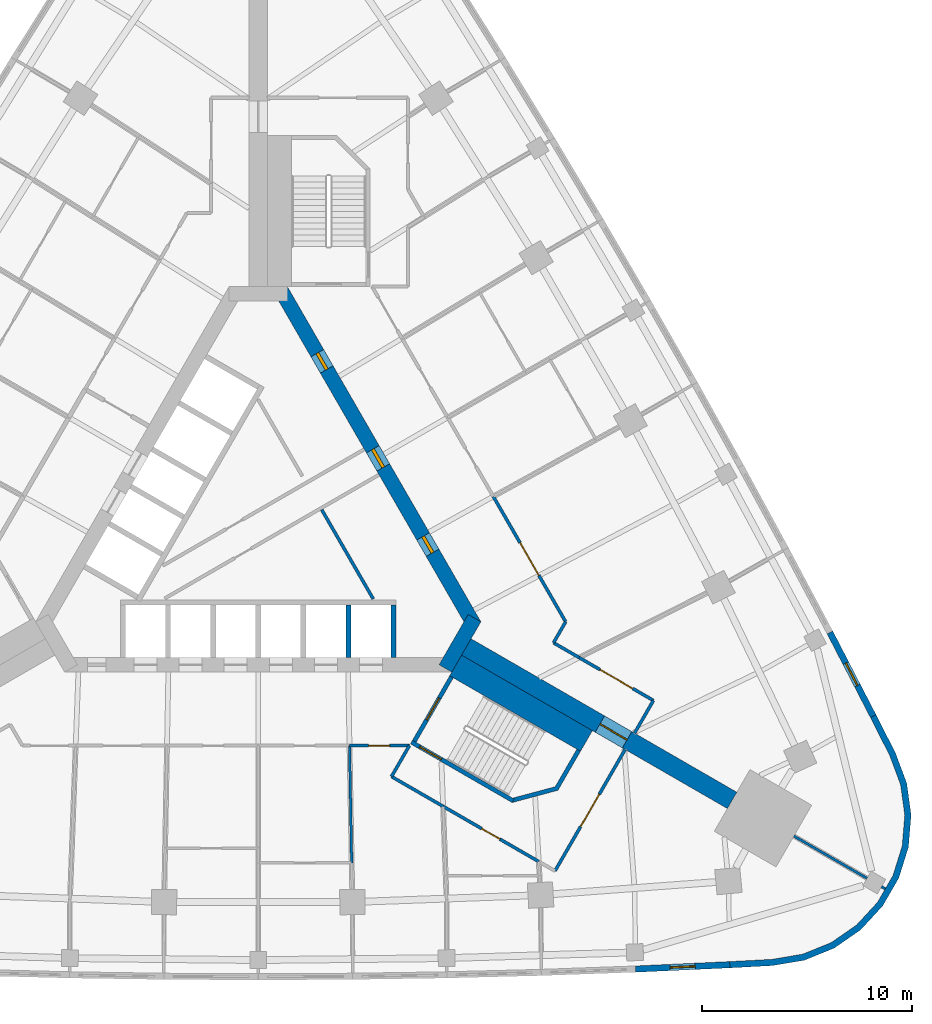
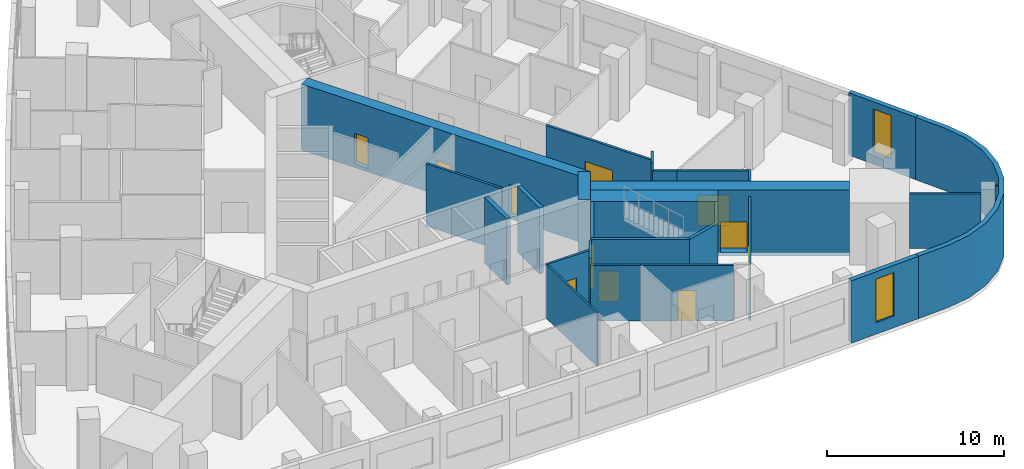
# One storey, part 7 of 11: 26 walls, 11 doors, 2 windows, 13 openings.
"""IFC4 building model written with IfcOpenShell, lengths in metres."""

from ifc_helpers import new_model, si_unit, direction, frame, frame_2d, origin, place, context, subcontext, project, spatial, polyline, rectangle, outline, extrude, material, layer, layer_set, type_object, element, fill, save


model = new_model("IFC4")

# Units and contexts
model_context = context("Model", 3, precision=1e-05, world=origin(), true_north=direction((0.0, 1.0)))
body_context = subcontext(model_context, "Body", "Model", "MODEL_VIEW")
ifc_project = project(units=[si_unit("LENGTHUNIT", "METRE"), si_unit("AREAUNIT", "SQUARE_METRE"), si_unit("VOLUMEUNIT", "CUBIC_METRE"), si_unit("PLANEANGLEUNIT", "RADIAN"), si_unit("MASSUNIT", "GRAM", prefix="KILO")], contexts=[model_context])

# Site, building, storey
site_placement = place(None, origin())
site = spatial("IfcSite", under=ifc_project, at=site_placement, CompositionType="ELEMENT")
building_placement = place(site_placement, origin())
building = spatial("IfcBuilding", under=site, at=building_placement, Name="Noor Cloister Tower", CompositionType="ELEMENT")
storey_placement = place(building_placement, frame((0.0, 0.0, 19.5)))
storey = spatial("IfcBuildingStorey", under=building, at=storey_placement, Name="L04", CompositionType="ELEMENT", Elevation=19.5)

# Wall, opening, door
ifc_material_1 = material(Name="Concrete C80/95", Category="concrete")
ifc_layer_1 = layer(ifc_material_1, 0.89990234375)
ifc_layer_set_1 = layer_set([ifc_layer_1], Name="Buttress wall 900 C80/95")
wall_type_1 = type_object("IfcWallType", Name="Buttress wall 900 C80/95", PredefinedType="SHEAR", material=ifc_layer_set_1)
wall_1_placement = place(storey_placement, frame((9.921630859375, -5.728271484375, -0.25), z_axis=(0.0, 0.0, 1.0), x_axis=(0.866028046028, -0.499995423472, 0.0)))
wall_1 = element("IfcWall", 1, at=wall_1_placement, inside=storey, type_object=wall_type_1, Name="Buttress wall SE L04", PredefinedType="SHEAR", context=body_context, shape_type="SweptSolid", body=[
    extrude(rectangle(XDim=14.632568359375, YDim=0.89990234375, at=frame_2d((7.31640625, 0.0))), origin(), (0.0, 0.0, 1.0), 4.550048828125),
])
opening_1_placement = place(wall_1_placement, frame((7.35009765625, 0.0, 0.25)))
opening_1 = element("IfcOpeningElement", 2, at=opening_1_placement, cuts=wall_1, Name="Opening L04-035", PredefinedType="OPENING", context=body_context, shape_type="SweptSolid", body=[
    extrude(rectangle(XDim=1.5, YDim=2.10009765625, at=frame_2d((0.75, 1.050048828125))), frame((0.0, 0.4599609375, 0.0), z_axis=(0.0, -1.0, 0.0), x_axis=(1.0, 0.0, 0.0)), (0.0, 0.0, 1.0), 0.919921875),
])
ifc_material_2 = material(Name="Steel fire door", Category="steel")
door_type_1 = type_object("IfcDoorType", Name="Smoke barrier door FD60 1500", OperationType="DOUBLE_DOOR_SINGLE_SWING", PredefinedType="DOOR", material=ifc_material_2)
door_1_placement = place(opening_1_placement, origin())
door_1 = element("IfcDoor", 3, at=door_1_placement, inside=storey, type_object=door_type_1, Name="Door L04-035", OperationType="DOUBLE_DOOR_SINGLE_SWING", OverallHeight=2.10009765625, OverallWidth=1.5, PredefinedType="DOOR", context=body_context, shape_type="SweptSolid", body=[
    extrude(rectangle(XDim=1.5, YDim=2.10009765625, at=frame_2d((0.75, 1.050048828125))), frame((0.0, 0.02490234375, 0.0), z_axis=(0.0, -1.0, 0.0), x_axis=(1.0, 0.0, 0.0)), (0.0, 0.0, 1.0), 0.050048828125),
])
fill(opening_1, door_1)

# Walls
ifc_material_3 = material(Name="Concrete C30/37", Category="concrete")
ifc_layer_2 = layer(ifc_material_3, 0.14990234375)
ifc_layer_set_2 = layer_set([ifc_layer_2], Name="Core partition 150 C30/37")
wall_type_2 = type_object("IfcWallType", Name="Core partition 150 C30/37", PredefinedType="PARTITIONING", material=ifc_layer_set_2)
wall_2_placement = place(storey_placement, frame((5.482421875, -3.439208984375, 0.0), z_axis=(0.0, 0.0, 1.0), x_axis=(-0.500006183238, 0.866021833861, 0.0)))
element("IfcWall", 4, at=wall_2_placement, inside=storey, type_object=wall_type_2, Name="Core room partition L04 4", PredefinedType="PARTITIONING", context=body_context, shape_type="SweptSolid", body=[
    extrude(rectangle(XDim=4.916015625, YDim=0.14990234375, at=frame_2d((2.4580078125, 0.0))), origin(), (0.0, 0.0, 1.0), 4.300048828125),
])
ifc_material_4 = material(Name="Concrete C80/95", Category="concrete")
ifc_layer_3 = layer(ifc_material_4, 0.699951171875)
ifc_layer_set_3 = layer_set([ifc_layer_3], Name="Core wall 700 C80/95")
wall_type_3 = type_object("IfcWallType", Name="Core wall 700 C80/95", PredefinedType="SHEAR", material=ifc_layer_set_3)
wall_3_placement = place(storey_placement, frame((8.925537109375, -6.753173828125, -0.25), z_axis=(0.0, 0.0, 1.0), x_axis=(0.500042739161, 0.866000726912, 0.0)))
element("IfcWall", 5, at=wall_3_placement, inside=storey, type_object=wall_type_3, Name="Core wall L04 2", PredefinedType="SHEAR", context=body_context, shape_type="SweptSolid", body=[
    extrude(rectangle(XDim=2.771240234375, YDim=0.699951171875, at=frame_2d((1.3857421875, 0.0))), origin(), (0.0, 0.0, 1.0), 4.550048828125),
])

# Wall, openings, doors
wall_4_placement = place(storey_placement, frame((10.311279296875, -4.703125, -0.25), z_axis=(0.0, 0.0, 1.0), x_axis=(-0.500001446645, 0.866024568562, 0.0)))
wall_4 = element("IfcWall", 6, at=wall_4_placement, inside=storey, type_object=wall_type_3, Name="Core wall L04 3", PredefinedType="SHEAR", context=body_context, shape_type="SweptSolid", body=[
    extrude(rectangle(XDim=18.45751953125, YDim=0.699951171875, at=frame_2d((9.228759765625, 0.0))), origin(), (0.0, 0.0, 1.0), 4.550048828125),
])
opening_2_placement = place(wall_4_placement, frame((8.699951171875, 0.0, 0.25)))
opening_2 = element("IfcOpeningElement", 7, at=opening_2_placement, cuts=wall_4, Name="Opening L04-901", PredefinedType="OPENING", context=body_context, shape_type="SweptSolid", body=[
    extrude(rectangle(XDim=1.0, YDim=2.10009765625, at=frame_2d((0.5, 1.050048828125))), frame((0.0, 0.35986328125, 0.0), z_axis=(0.0, -1.0, 0.0), x_axis=(1.0, 0.0, 0.0)), (0.0, 0.0, 1.0), 0.719970703125),
])
opening_3_placement = place(wall_4_placement, frame((4.001953125, 0.0, 0.25)))
opening_3 = element("IfcOpeningElement", 8, at=opening_3_placement, cuts=wall_4, Name="Opening L04-902", PredefinedType="OPENING", context=body_context, shape_type="SweptSolid", body=[
    extrude(rectangle(XDim=0.89990234375, YDim=2.10009765625, at=frame_2d((0.449951171875, 1.050048828125))), frame((0.0, 0.35986328125, 0.0), z_axis=(0.0, -1.0, 0.0), x_axis=(1.0, 0.0, 0.0)), (0.0, 0.0, 1.0), 0.719970703125),
])
opening_4_placement = place(wall_4_placement, frame((14.093017578125, 0.0, 0.25)))
opening_4 = element("IfcOpeningElement", 9, at=opening_4_placement, cuts=wall_4, Name="Opening L04-903", PredefinedType="OPENING", context=body_context, shape_type="SweptSolid", body=[
    extrude(rectangle(XDim=0.89990234375, YDim=2.10009765625, at=frame_2d((0.449951171875, 1.050048828125))), frame((0.0, 0.35986328125, 0.0), z_axis=(0.0, -1.0, 0.0), x_axis=(1.0, 0.0, 0.0)), (0.0, 0.0, 1.0), 0.719970703125),
])
ifc_material_5 = material(Name="Steel", Category="steel")
door_type_2 = type_object("IfcDoorType", Name="Core door 1000 x 2100 FD120", OperationType="SINGLE_SWING_LEFT", PredefinedType="DOOR", material=ifc_material_5)
door_2_placement = place(opening_2_placement, origin())
door_2 = element("IfcDoor", 10, at=door_2_placement, inside=storey, type_object=door_type_2, Name="Core door 1 L04", OperationType="SINGLE_SWING_LEFT", OverallHeight=2.10009765625, OverallWidth=1.0, PredefinedType="DOOR", context=body_context, shape_type="SweptSolid", body=[
    extrude(rectangle(XDim=1.0, YDim=2.10009765625, at=frame_2d((0.5, 1.050048828125))), frame((0.0, 0.074951171875, 0.0), z_axis=(0.0, -1.0, 0.0), x_axis=(1.0, 0.0, 0.0)), (0.0, 0.0, 1.0), 0.14990234375),
])
fill(opening_2, door_2)
ifc_material_6 = material(Name="Steel", Category="steel")
door_type_3 = type_object("IfcDoorType", Name="Core door 900 x 2100 FD120", OperationType="SINGLE_SWING_LEFT", PredefinedType="DOOR", material=ifc_material_6)
door_3_placement = place(opening_3_placement, origin())
door_3 = element("IfcDoor", 11, at=door_3_placement, inside=storey, type_object=door_type_3, Name="Core door 2 L04", OperationType="SINGLE_SWING_RIGHT", OverallHeight=2.10009765625, OverallWidth=0.89990234375, PredefinedType="DOOR", context=body_context, shape_type="SweptSolid", body=[
    extrude(rectangle(XDim=0.89990234375, YDim=2.10009765625, at=frame_2d((0.449951171875, 1.050048828125))), frame((0.0, 0.074951171875, 0.0), z_axis=(0.0, -1.0, 0.0), x_axis=(1.0, 0.0, 0.0)), (0.0, 0.0, 1.0), 0.14990234375),
])
fill(opening_3, door_3)
door_4_placement = place(opening_4_placement, origin())
door_4 = element("IfcDoor", 12, at=door_4_placement, inside=storey, type_object=door_type_3, Name="Core door 3 L04", OperationType="SINGLE_SWING_LEFT", OverallHeight=2.10009765625, OverallWidth=0.89990234375, PredefinedType="DOOR", context=body_context, shape_type="SweptSolid", body=[
    extrude(rectangle(XDim=0.89990234375, YDim=2.10009765625, at=frame_2d((0.449951171875, 1.050048828125))), frame((0.0, 0.074951171875, 0.0), z_axis=(0.0, -1.0, 0.0), x_axis=(1.0, 0.0, 0.0)), (0.0, 0.0, 1.0), 0.14990234375),
])
fill(opening_4, door_4)

# Wall, opening, door
ifc_material_7 = material(Name="Plasterboard on steel studs", Category="steel")
ifc_layer_4 = layer(ifc_material_7, 0.14990234375)
ifc_layer_set_4 = layer_set([ifc_layer_4], Name="Corridor wall 150")
wall_type_4 = type_object("IfcWallType", Name="Corridor wall 150", PredefinedType="PARTITIONING", material=ifc_layer_set_4)
wall_5_placement = place(storey_placement, frame((17.490966796875, -10.617919921875, 0.0), z_axis=(0.0, 0.0, 1.0), x_axis=(-0.499969057507, -0.866043267704, 0.0)))
wall_5 = element("IfcWall", 13, at=wall_5_placement, inside=storey, type_object=wall_type_4, Name="Partition", PredefinedType="PARTITIONING", context=body_context, shape_type="SweptSolid", body=[
    extrude(rectangle(XDim=6.6845703125, YDim=0.14990234375, at=frame_2d((3.34228515625, 0.0))), origin(), (0.0, 0.0, 1.0), 3.843017578125),
])
opening_5_placement = place(wall_5_placement, frame((2.449951171875, 0.0, 0.0)))
opening_5 = element("IfcOpeningElement", 14, at=opening_5_placement, cuts=wall_5, Name="Opening L04-005", PredefinedType="OPENING", context=body_context, shape_type="SweptSolid", body=[
    extrude(rectangle(XDim=1.800048828125, YDim=2.10009765625, at=frame_2d((0.89990234375, 1.050048828125))), frame((0.0, 0.0849609375, 0.0), z_axis=(0.0, -1.0, 0.0), x_axis=(1.0, 0.0, 0.0)), (0.0, 0.0, 1.0), 0.169921875),
])
ifc_material_8 = material(Name="Timber door leaf", Category="wood")
door_type_4 = type_object("IfcDoorType", Name="Double leaf door 1800", OperationType="DOUBLE_DOOR_SINGLE_SWING", PredefinedType="DOOR", material=ifc_material_8)
door_5_placement = place(opening_5_placement, origin())
door_5 = element("IfcDoor", 15, at=door_5_placement, inside=storey, type_object=door_type_4, Name="Door L04-005", OperationType="DOUBLE_DOOR_SINGLE_SWING", OverallHeight=2.10009765625, OverallWidth=1.800048828125, PredefinedType="DOOR", context=body_context, shape_type="SweptSolid", body=[
    extrude(rectangle(XDim=1.800048828125, YDim=2.10009765625, at=frame_2d((0.89990234375, 1.050048828125))), frame((0.0, 0.02490234375, 0.0), z_axis=(0.0, -1.0, 0.0), x_axis=(1.0, 0.0, 0.0)), (0.0, 0.0, 1.0), 0.050048828125),
])
fill(opening_5, door_5)

# Walls
wall_6_placement = place(storey_placement, frame((8.81689453125, -13.330078125, 0.0), z_axis=(0.0, 0.0, 1.0), x_axis=(-0.865999736111, 0.50004445508, 0.0)))
element("IfcWall", 16, at=wall_6_placement, inside=storey, type_object=wall_type_4, Name="Partition", PredefinedType="PARTITIONING", context=body_context, shape_type="SweptSolid", body=[
    extrude(rectangle(XDim=2.843994140625, YDim=0.14990234375, at=frame_2d((1.421875, 0.0))), origin(), (0.0, 0.0, 1.0), 3.843017578125),
])
wall_7_placement = place(storey_placement, frame((6.35400390625, -11.906005859375, 0.0), z_axis=(0.0, 0.0, 1.0), x_axis=(0.500539815233, 0.865713516913, 0.0)))
element("IfcWall", 17, at=wall_7_placement, inside=storey, type_object=wall_type_4, Name="Partition", PredefinedType="PARTITIONING", context=body_context, shape_type="SweptSolid", body=[
    extrude(rectangle(XDim=1.7060546875, YDim=0.14990234375, at=frame_2d((0.85302734375, 0.0))), origin(), (0.0, 0.0, 1.0), 4.300048828125),
])

# Wall, opening, door
wall_8_placement = place(storey_placement, frame((7.2080078125, -10.427978515625, 0.0), z_axis=(0.0, 0.0, 1.0), x_axis=(-1.0, 0.0, 0.0)))
wall_8 = element("IfcWall", 18, at=wall_8_placement, inside=storey, type_object=wall_type_4, Name="Partition", PredefinedType="PARTITIONING", context=body_context, shape_type="SweptSolid", body=[
    extrude(rectangle(XDim=2.861083984375, YDim=0.14990234375, at=frame_2d((1.4306640625, 0.0))), origin(), (0.0, 0.0, 1.0), 3.697998046875),
])
opening_6_placement = place(wall_8_placement, frame((0.949951171875, 0.0, 0.0)))
opening_6 = element("IfcOpeningElement", 19, at=opening_6_placement, cuts=wall_8, Name="Opening L04-006", PredefinedType="OPENING", context=body_context, shape_type="SweptSolid", body=[
    extrude(rectangle(XDim=1.0, YDim=2.10009765625, at=frame_2d((0.5, 1.050048828125))), frame((0.0, 0.0849609375, 0.0), z_axis=(0.0, -1.0, 0.0), x_axis=(1.0, 0.0, 0.0)), (0.0, 0.0, 1.0), 0.169921875),
])
ifc_material_9 = material(Name="Timber door leaf", Category="wood")
door_type_5 = type_object("IfcDoorType", Name="WC block door 1000", OperationType="SINGLE_SWING_LEFT", PredefinedType="DOOR", material=ifc_material_9)
door_6_placement = place(opening_6_placement, origin())
door_6 = element("IfcDoor", 20, at=door_6_placement, inside=storey, type_object=door_type_5, Name="Door L04-006", OperationType="SINGLE_SWING_RIGHT", OverallHeight=2.10009765625, OverallWidth=1.0, PredefinedType="DOOR", context=body_context, shape_type="SweptSolid", body=[
    extrude(rectangle(XDim=1.0, YDim=2.10009765625, at=frame_2d((0.5, 1.050048828125))), frame((0.0, 0.02490234375, 0.0), z_axis=(0.0, -1.0, 0.0), x_axis=(1.0, 0.0, 0.0)), (0.0, 0.0, 1.0), 0.050048828125),
])
fill(opening_6, door_6)

wall_9_placement = place(storey_placement, frame((13.376953125, -15.962890625, 0.0), z_axis=(0.0, 0.0, 1.0), x_axis=(-0.865969754012, 0.500096375847, 0.0)))
wall_9 = element("IfcWall", 21, at=wall_9_placement, inside=storey, type_object=wall_type_4, Name="Partition", PredefinedType="PARTITIONING", context=body_context, shape_type="SweptSolid", body=[
    extrude(rectangle(XDim=5.27490234375, YDim=0.14990234375, at=frame_2d((2.637451171875, 0.0))), origin(), (0.0, 0.0, 1.0), 3.843017578125),
])
opening_7_placement = place(wall_9_placement, frame((2.14990234375, 0.0, 0.0)))
opening_7 = element("IfcOpeningElement", 22, at=opening_7_placement, cuts=wall_9, Name="Opening L04-007", PredefinedType="OPENING", context=body_context, shape_type="SweptSolid", body=[
    extrude(rectangle(XDim=1.0, YDim=2.10009765625, at=frame_2d((0.5, 1.050048828125))), frame((0.0, 0.0849609375, 0.0), z_axis=(0.0, -1.0, 0.0), x_axis=(1.0, 0.0, 0.0)), (0.0, 0.0, 1.0), 0.169921875),
])
ifc_material_10 = material(Name="Timber door leaf", Category="wood")
door_type_6 = type_object("IfcDoorType", Name="Clinic room door 1000", OperationType="SINGLE_SWING_LEFT", PredefinedType="DOOR", material=ifc_material_10)
door_7_placement = place(opening_7_placement, origin())
door_7 = element("IfcDoor", 23, at=door_7_placement, inside=storey, type_object=door_type_6, Name="Door L04-007", OperationType="SINGLE_SWING_RIGHT", OverallHeight=2.10009765625, OverallWidth=1.0, PredefinedType="DOOR", context=body_context, shape_type="SweptSolid", body=[
    extrude(rectangle(XDim=1.0, YDim=2.10009765625, at=frame_2d((0.5, 1.050048828125))), frame((0.0, 0.02490234375, 0.0), z_axis=(0.0, -1.0, 0.0), x_axis=(1.0, 0.0, 0.0)), (0.0, 0.0, 1.0), 0.050048828125),
])
fill(opening_7, door_7)

wall_10_placement = place(storey_placement, frame((15.2958984375, -6.23291015625, 0.0), z_axis=(0.0, 0.0, 1.0), x_axis=(0.866035577775, -0.499982377718, 0.0)))
wall_10 = element("IfcWall", 24, at=wall_10_placement, inside=storey, type_object=wall_type_4, Name="Partition", PredefinedType="PARTITIONING", context=body_context, shape_type="SweptSolid", body=[
    extrude(rectangle(XDim=4.092529296875, YDim=0.14990234375, at=frame_2d((2.04638671875, 0.0))), origin(), (0.0, 0.0, 1.0), 3.76708984375),
])
opening_8_placement = place(wall_10_placement, frame((1.14990234375, 0.0, 0.0)))
opening_8 = element("IfcOpeningElement", 25, at=opening_8_placement, cuts=wall_10, Name="Opening L04-013", PredefinedType="OPENING", context=body_context, shape_type="SweptSolid", body=[
    extrude(rectangle(XDim=1.800048828125, YDim=2.10009765625, at=frame_2d((0.89990234375, 1.050048828125))), frame((0.0, 0.0849609375, 0.0), z_axis=(0.0, -1.0, 0.0), x_axis=(1.0, 0.0, 0.0)), (0.0, 0.0, 1.0), 0.169921875),
])
door_8_placement = place(opening_8_placement, origin())
door_8 = element("IfcDoor", 26, at=door_8_placement, inside=storey, type_object=door_type_4, Name="Door L04-013", OperationType="DOUBLE_DOOR_SINGLE_SWING", OverallHeight=2.10009765625, OverallWidth=1.800048828125, PredefinedType="DOOR", context=body_context, shape_type="SweptSolid", body=[
    extrude(rectangle(XDim=1.800048828125, YDim=2.10009765625, at=frame_2d((0.89990234375, 1.050048828125))), frame((0.0, 0.02490234375, 0.0), z_axis=(0.0, -1.0, 0.0), x_axis=(1.0, 0.0, 0.0)), (0.0, 0.0, 1.0), 0.050048828125),
])
fill(opening_8, door_8)

# Wall
wall_11_placement = place(storey_placement, frame((18.840087890625, -8.281005859375, 0.0), z_axis=(0.0, 0.0, 1.0), x_axis=(-0.500126010714, -0.86595263924, 0.0)))
element("IfcWall", 27, at=wall_11_placement, inside=storey, type_object=wall_type_4, Name="Partition", PredefinedType="PARTITIONING", context=body_context, shape_type="SweptSolid", body=[
    extrude(rectangle(XDim=1.7978515625, YDim=0.14990234375, at=frame_2d((0.89892578125, 0.0))), origin(), (0.0, 0.0, 1.0), 3.843017578125),
])

# Wall, opening, door
wall_12_placement = place(storey_placement, frame((11.205078125, 1.449951171875, 0.0), z_axis=(0.0, 0.0, 1.0), x_axis=(0.500008243208, -0.866020644514, 0.0)))
wall_12 = element("IfcWall", 28, at=wall_12_placement, inside=storey, type_object=wall_type_4, Name="Partition", PredefinedType="PARTITIONING", context=body_context, shape_type="SweptSolid", body=[
    extrude(rectangle(XDim=6.90185546875, YDim=0.14990234375, at=frame_2d((3.450927734375, 0.0))), origin(), (0.0, 0.0, 1.0), 3.697998046875),
])
opening_9_placement = place(wall_12_placement, frame((2.550048828125, 0.0, 0.0)))
opening_9 = element("IfcOpeningElement", 29, at=opening_9_placement, cuts=wall_12, Name="Opening L04-014", PredefinedType="OPENING", context=body_context, shape_type="SweptSolid", body=[
    extrude(rectangle(XDim=1.800048828125, YDim=2.10009765625, at=frame_2d((0.89990234375, 1.050048828125))), frame((0.0, 0.0849609375, 0.0), z_axis=(0.0, -1.0, 0.0), x_axis=(1.0, 0.0, 0.0)), (0.0, 0.0, 1.0), 0.169921875),
])
door_9_placement = place(opening_9_placement, origin())
door_9 = element("IfcDoor", 30, at=door_9_placement, inside=storey, type_object=door_type_4, Name="Door L04-014", OperationType="DOUBLE_DOOR_SINGLE_SWING", OverallHeight=2.10009765625, OverallWidth=1.800048828125, PredefinedType="DOOR", context=body_context, shape_type="SweptSolid", body=[
    extrude(rectangle(XDim=1.800048828125, YDim=2.10009765625, at=frame_2d((0.89990234375, 1.050048828125))), frame((0.0, 0.02490234375, 0.0), z_axis=(0.0, -1.0, 0.0), x_axis=(1.0, 0.0, 0.0)), (0.0, 0.0, 1.0), 0.050048828125),
])
fill(opening_9, door_9)

# Walls
wall_13_placement = place(storey_placement, frame((14.656005859375, -4.529052734375, 0.0), z_axis=(0.0, 0.0, 1.0), x_axis=(-0.500502949238, -0.865734831114, 0.0)))
element("IfcWall", 31, at=wall_13_placement, inside=storey, type_object=wall_type_4, Name="Partition", PredefinedType="PARTITIONING", context=body_context, shape_type="SweptSolid", body=[
    extrude(rectangle(XDim=1.155029296875, YDim=0.14990234375, at=frame_2d((0.57763671875, 0.0))), origin(), (0.0, 0.0, 1.0), 4.300048828125),
])
wall_14_placement = place(storey_placement, frame((14.077880859375, -5.529052734375, 0.0), z_axis=(0.0, 0.0, 1.0), x_axis=(0.866110865696, -0.499851946404, 0.0)))
element("IfcWall", 32, at=wall_14_placement, inside=storey, type_object=wall_type_4, Name="Partition", PredefinedType="PARTITIONING", context=body_context, shape_type="SweptSolid", body=[
    extrude(rectangle(XDim=1.41455078125, YDim=0.14990234375, at=frame_2d((0.707275390625, 0.0))), origin(), (0.0, 0.0, 1.0), 3.76708984375),
])
ifc_material_11 = material(Name="Limestone", Category="masonry")
ifc_layer_5 = layer(ifc_material_11, 0.300048828125)
ifc_layer_set_5 = layer_set([ifc_layer_5], Name="Limestone cladding 300")
wall_type_5 = type_object("IfcWallType", Name="Limestone cladding 300", PredefinedType="NOTDEFINED", material=ifc_layer_set_5)
wall_15_placement = place(storey_placement, origin())
element("IfcWall", 33, at=wall_15_placement, inside=storey, type_object=wall_type_5, Name="Limestone pier cladding L04 2.1", PredefinedType="NOTDEFINED", context=body_context, shape_type="SweptSolid", body=[
    extrude(outline(polyline([(22.490234375, -21.02978515625), (24.52197265625, -20.920654296875), (26.03955078125, -20.666259765625), (27.46484375, -20.086181640625), (28.72900390625, -19.208984375), (29.77099609375, -18.07666015625), (30.540283203125, -16.744140625), (31.0, -15.275634765625), (31.127685546875, -13.7421875), (30.917236328125, -12.2177734375), (30.378662109375, -10.7763671875), (29.457275390625, -8.962158203125), (29.18994140625, -9.097900390625), (30.103515625, -10.89697265625), (30.62451171875, -12.291748046875), (30.825927734375, -13.750244140625), (30.70361328125, -15.217529296875), (30.263916015625, -16.622802734375), (29.52783203125, -17.89794921875), (28.53076171875, -18.9814453125), (27.321044921875, -19.82080078125), (25.95703125, -20.375732421875), (24.489013671875, -20.621826171875), (22.47412109375, -20.730224609375), (22.490234375, -21.02978515625)])), origin(), (0.0, 0.0, 1.0), 4.300048828125),
])

# Wall, opening, window
ifc_material_12 = material(Name="Limestone", Category="masonry")
ifc_layer_6 = layer(ifc_material_12, 0.300048828125)
ifc_layer_set_6 = layer_set([ifc_layer_6], Name="Limestone panel wall 300")
wall_type_6 = type_object("IfcWallType", Name="Limestone panel wall 300", PredefinedType="NOTDEFINED", material=ifc_layer_set_6)
wall_16_placement = place(storey_placement, frame((22.481201171875, -20.8798828125, 0.0), z_axis=(0.0, 0.0, 1.0), x_axis=(-0.998931717866, -0.046210637742, 0.0)))
wall_16 = element("IfcWall", 34, at=wall_16_placement, inside=storey, type_object=wall_type_6, Name="Limestone wall L04 S 10", PredefinedType="NOTDEFINED", context=body_context, shape_type="SweptSolid", body=[
    extrude(rectangle(XDim=4.49609375, YDim=0.300048828125, at=frame_2d((2.248046875, 0.0))), origin(), (0.0, 0.0, 1.0), 4.300048828125),
])
opening_10_placement = place(wall_16_placement, frame((1.64794921875, 0.0, 0.800048828125)))
opening_10 = element("IfcOpeningElement", 35, at=opening_10_placement, cuts=wall_16, Name="Opening L04-W20", PredefinedType="OPENING", context=body_context, shape_type="SweptSolid", body=[
    extrude(rectangle(XDim=1.199951171875, YDim=3.0, at=frame_2d((0.60009765625, 1.5))), frame((0.0, 0.16015625, 0.0), z_axis=(0.0, -1.0, 0.0), x_axis=(1.0, 0.0, 0.0)), (0.0, 0.0, 1.0), 0.320068359375),
])
ifc_material_13 = material(Name="Aluminium 6063-T6 anodised", Category="aluminium")
window_type = type_object("IfcWindowType", Name="Lancet window 1200 x 3000", PartitioningType="SINGLE_PANEL", PredefinedType="WINDOW", material=ifc_material_13)
window_1_placement = place(opening_10_placement, origin())
window_1 = element("IfcWindow", 36, at=window_1_placement, inside=storey, type_object=window_type, Name="Window L04 20", OverallHeight=3.0, OverallWidth=1.199951171875, PartitioningType="SINGLE_PANEL", PredefinedType="WINDOW", context=body_context, shape_type="SweptSolid", body=[
    extrude(rectangle(XDim=1.199951171875, YDim=3.0, at=frame_2d((0.60009765625, 1.5))), frame((0.0, 0.030029296875, 0.0), z_axis=(0.0, -1.0, 0.0), x_axis=(1.0, 0.0, 0.0)), (0.0, 0.0, 1.0), 0.06005859375),
])
fill(opening_10, window_1)

wall_17_placement = place(storey_placement, frame((27.257568359375, -5.035888671875, 0.0), z_axis=(0.0, 0.0, 1.0), x_axis=(0.459443600121, -0.888206945654, 0.0)))
wall_17 = element("IfcWall", 37, at=wall_17_placement, inside=storey, type_object=wall_type_6, Name="Limestone wall L04 NE 1", PredefinedType="NOTDEFINED", context=body_context, shape_type="SweptSolid", body=[
    extrude(rectangle(XDim=4.49609375, YDim=0.300048828125, at=frame_2d((2.248046875, 0.0))), origin(), (0.0, 0.0, 1.0), 4.300048828125),
])
opening_11_placement = place(wall_17_placement, frame((1.64794921875, 0.0, 0.800048828125)))
opening_11 = element("IfcOpeningElement", 38, at=opening_11_placement, cuts=wall_17, Name="Opening L04-W21", PredefinedType="OPENING", context=body_context, shape_type="SweptSolid", body=[
    extrude(rectangle(XDim=1.199951171875, YDim=3.0, at=frame_2d((0.60009765625, 1.5))), frame((0.0, 0.16015625, 0.0), z_axis=(0.0, -1.0, 0.0), x_axis=(1.0, 0.0, 0.0)), (0.0, 0.0, 1.0), 0.320068359375),
])
window_2_placement = place(opening_11_placement, origin())
window_2 = element("IfcWindow", 39, at=window_2_placement, inside=storey, type_object=window_type, Name="Window L04 21", OverallHeight=3.0, OverallWidth=1.199951171875, PartitioningType="SINGLE_PANEL", PredefinedType="WINDOW", context=body_context, shape_type="SweptSolid", body=[
    extrude(rectangle(XDim=1.199951171875, YDim=3.0, at=frame_2d((0.60009765625, 1.5))), frame((0.0, 0.030029296875, 0.0), z_axis=(0.0, -1.0, 0.0), x_axis=(1.0, 0.0, 0.0)), (0.0, 0.0, 1.0), 0.06005859375),
])
fill(opening_11, window_2)

# Walls
ifc_material_14 = material(Name="Plasterboard on steel studs", Category="steel")
ifc_layer_7 = layer(ifc_material_14, 0.1201171875)
ifc_layer_set_7 = layer_set([ifc_layer_7], Name="Partition wall 120")
wall_type_7 = type_object("IfcWallType", Name="Partition wall 120", PredefinedType="PARTITIONING", material=ifc_layer_set_7)
wall_18_placement = place(storey_placement, frame((29.02294921875, -16.757080078125, 0.0), z_axis=(0.0, 0.0, 1.0), x_axis=(-0.866027971625, 0.499995552344, 0.0)))
element("IfcWall", 40, at=wall_18_placement, inside=storey, type_object=wall_type_7, Name="Partition", PredefinedType="PARTITIONING", context=body_context, shape_type="SweptSolid", body=[
    extrude(rectangle(XDim=4.02392578125, YDim=0.1201171875, at=frame_2d((2.011962890625, 0.0))), origin(), (0.0, 0.0, 1.0), 3.76708984375),
])
wall_19_placement = place(storey_placement, frame((29.89599609375, -17.260986328125, 0.0), z_axis=(0.0, 0.0, 1.0), x_axis=(-0.865774595023, 0.500434162116, 0.0)))
element("IfcWall", 41, at=wall_19_placement, inside=storey, type_object=wall_type_7, Name="Partition", PredefinedType="PARTITIONING", context=body_context, shape_type="SweptSolid", body=[
    extrude(rectangle(XDim=0.207763671875, YDim=0.1201171875, at=frame_2d((0.10400390625, 0.0))), origin(), (0.0, 0.0, 1.0), 4.300048828125),
])
wall_20_placement = place(storey_placement, frame((4.35107421875, -10.428955078125, 0.0), z_axis=(0.0, 0.0, 1.0), x_axis=(0.018575076386, -0.999827468385, 0.0)))
element("IfcWall", 42, at=wall_20_placement, inside=storey, type_object=wall_type_7, Name="Partition", PredefinedType="PARTITIONING", context=body_context, shape_type="SweptSolid", body=[
    extrude(rectangle(XDim=5.59912109375, YDim=0.1201171875, at=frame_2d((2.799560546875, 0.0))), origin(), (0.0, 0.0, 1.0), 3.697998046875),
])
ifc_material_15 = material(Name="Concrete C80/95", Category="concrete")
ifc_layer_8 = layer(ifc_material_15, 0.25)
ifc_layer_set_8 = layer_set([ifc_layer_8], Name="Shaft wall 250 C80/95")
wall_type_8 = type_object("IfcWallType", Name="Shaft wall 250 C80/95", PredefinedType="PARTITIONING", material=ifc_layer_set_8)
for number, where, z_axis, x_axis, name in (
    (43, (4.300048828125, -6.228271484375, -0.25), (0.0, 0.0, 1.0), (0.0, 1.0, 0.0), "Lift shaft wall L04 S 6"),
    (44, (6.449951171875, -6.228271484375, -0.25), (0.0, 0.0, 1.0), (0.0, 1.0, 0.0), "Lift shaft wall L04 S 7"),
):
    element("IfcWall", number, at=place(storey_placement, frame(where, z_axis=z_axis, x_axis=x_axis)), inside=storey, type_object=wall_type_8, Name=name, PredefinedType="PARTITIONING", context=body_context, shape_type="SweptSolid", body=[
        extrude(rectangle(XDim=2.5, YDim=0.25, at=frame_2d((1.25, 0.0))), origin(), (0.0, 0.0, 1.0), 4.550048828125),
    ])
ifc_material_16 = material(Name="Concrete C80/95", Category="concrete")
ifc_layer_9 = layer(ifc_material_16, 1.135986328125)
ifc_layer_set_9 = layer_set([ifc_layer_9], Name="Stair enclosure wall 1136 C80/95")
wall_type_9 = type_object("IfcWallType", Name="Stair enclosure wall 1136 C80/95", PredefinedType="SHEAR", material=ifc_layer_set_9)
wall_21_placement = place(storey_placement, frame((9.41259765625, -6.609619140625, -0.25), z_axis=(0.0, 0.0, 1.0), x_axis=(0.866018442252, -0.500012057535, 0.0)))
element("IfcWall", 45, at=wall_21_placement, inside=storey, type_object=wall_type_9, Name="Stair enclosure wall ST3 L04 riser side", PredefinedType="SHEAR", context=body_context, shape_type="SweptSolid", body=[
    extrude(rectangle(XDim=7.199951171875, YDim=1.1357421875, at=frame_2d((3.60009765625, 0.0))), origin(), (0.0, 0.0, 1.0), 4.550048828125),
])

# Wall, opening, door
ifc_material_17 = material(Name="Concrete C80/95", Category="concrete")
ifc_layer_10 = layer(ifc_material_17, 0.199951171875)
ifc_layer_set_10 = layer_set([ifc_layer_10], Name="Stair enclosure wall 200 C80/95")
wall_type_10 = type_object("IfcWallType", Name="Stair enclosure wall 200 C80/95", PredefinedType="SHEAR", material=ifc_layer_set_10)
wall_22_placement = place(storey_placement, frame((7.440185546875, -10.225830078125, -0.25), z_axis=(0.0, 0.0, 1.0), x_axis=(0.500022077904, 0.866012656725, 0.0)))
wall_22 = element("IfcWall", 46, at=wall_22_placement, inside=storey, type_object=wall_type_10, Name="Stair enclosure wall ST3 L04 near end", PredefinedType="SHEAR", context=body_context, shape_type="SweptSolid", body=[
    extrude(rectangle(XDim=3.550048828125, YDim=0.199951171875, at=frame_2d((1.77490234375, 0.0))), origin(), (0.0, 0.0, 1.0), 4.550048828125),
])
opening_12_placement = place(wall_22_placement, frame((1.175048828125, 0.0, 0.25)))
opening_12 = element("IfcOpeningElement", 47, at=opening_12_placement, cuts=wall_22, Name="Opening L04-ST3L", PredefinedType="OPENING", context=body_context, shape_type="SweptSolid", body=[
    extrude(rectangle(XDim=1.199951171875, YDim=2.10009765625, at=frame_2d((0.60009765625, 1.050048828125))), frame((0.0, 0.10986328125, 0.0), z_axis=(0.0, -1.0, 0.0), x_axis=(1.0, 0.0, 0.0)), (0.0, 0.0, 1.0), 0.219970703125),
])
ifc_material_18 = material(Name="Steel", Category="steel")
door_type_7 = type_object("IfcDoorType", Name="Stair door 1200 x 2100 FD120", OperationType="SINGLE_SWING_LEFT", PredefinedType="DOOR", material=ifc_material_18)
door_10_placement = place(opening_12_placement, origin())
door_10 = element("IfcDoor", 48, at=door_10_placement, inside=storey, type_object=door_type_7, Name="Stair door ST3 L04", OperationType="SINGLE_SWING_RIGHT", OverallHeight=2.10009765625, OverallWidth=1.199951171875, PredefinedType="DOOR", context=body_context, shape_type="SweptSolid", body=[
    extrude(rectangle(XDim=1.199951171875, YDim=2.10009765625, at=frame_2d((0.60009765625, 1.050048828125))), frame((0.0, 0.02490234375, 0.0), z_axis=(0.0, -1.0, 0.0), x_axis=(1.0, 0.0, 0.0)), (0.0, 0.0, 1.0), 0.050048828125),
])
fill(opening_12, door_10)

wall_23_placement = place(storey_placement, frame((7.3037109375, -10.262451171875, -0.25), z_axis=(0.0, 0.0, 1.0), x_axis=(0.866026594901, -0.49999793692, 0.0)))
wall_23 = element("IfcWall", 49, at=wall_23_placement, inside=storey, type_object=wall_type_10, Name="Stair enclosure wall ST3 L04 outer side", PredefinedType="SHEAR", context=body_context, shape_type="SweptSolid", body=[
    extrude(rectangle(XDim=5.60009765625, YDim=0.199951171875, at=frame_2d((2.800048828125, 0.0))), origin(), (0.0, 0.0, 1.0), 4.550048828125),
])
opening_13_placement = place(wall_23_placement, frame((0.449951171875, 0.0, 0.25)))
opening_13 = element("IfcOpeningElement", 50, at=opening_13_placement, cuts=wall_23, Name="Opening L04-ST3C", PredefinedType="OPENING", context=body_context, shape_type="SweptSolid", body=[
    extrude(rectangle(XDim=1.199951171875, YDim=2.10009765625, at=frame_2d((0.60009765625, 1.050048828125))), frame((0.0, 0.10986328125, 0.0), z_axis=(0.0, -1.0, 0.0), x_axis=(1.0, 0.0, 0.0)), (0.0, 0.0, 1.0), 0.219970703125),
])
door_11_placement = place(opening_13_placement, origin())
door_11 = element("IfcDoor", 51, at=door_11_placement, inside=storey, type_object=door_type_7, Name="Stair door ST3 L04", OperationType="SINGLE_SWING_LEFT", OverallHeight=2.10009765625, OverallWidth=1.199951171875, PredefinedType="DOOR", context=body_context, shape_type="SweptSolid", body=[
    extrude(rectangle(XDim=1.199951171875, YDim=2.10009765625, at=frame_2d((0.60009765625, 1.050048828125))), frame((0.0, 0.02490234375, 0.0), z_axis=(0.0, -1.0, 0.0), x_axis=(1.0, 0.0, 0.0)), (0.0, 0.0, 1.0), 0.050048828125),
])
fill(opening_13, door_11)

# Wall
ifc_material_19 = material(Name="Concrete C80/95", Category="concrete")
wall_type_11 = type_object("IfcWallType", Name="Stair far end wall C80/95", PredefinedType="SHEAR", material=ifc_material_19)
wall_24_placement = place(storey_placement, frame((0.0, 0.0, -0.25)))
element("IfcWall", 52, at=wall_24_placement, inside=storey, type_object=wall_type_11, Name="Stair enclosure wall ST3 L04 far end", PredefinedType="SHEAR", context=body_context, shape_type="SweptSolid", body=[
    extrude(outline(polyline([(12.103515625, -13.14892578125), (14.2890625, -12.5634765625), (15.364013671875, -10.701416015625), (15.19091796875, -10.601318359375), (14.1572265625, -12.3916015625), (12.131591796875, -12.934326171875), (12.20361328125, -12.975830078125), (12.20361328125, -12.975830078125), (12.20361328125, -12.975830078125), (12.20361328125, -12.975830078125), (12.20361328125, -12.975830078125), (12.20361328125, -12.975830078125), (12.20361328125, -12.975830078125), (12.20361328125, -12.975830078125), (12.20361328125, -12.975830078125), (12.20361328125, -12.975830078125), (12.20361328125, -12.975830078125), (12.20361328125, -12.975830078125), (12.20361328125, -12.975830078125), (12.20361328125, -12.975830078125), (12.20361328125, -12.975830078125), (12.20361328125, -12.975830078125), (12.20361328125, -12.975830078125), (12.103515625, -13.14892578125)])), origin(), (0.0, 0.0, 1.0), 4.550048828125),
])

save(model, "model.ifc")
